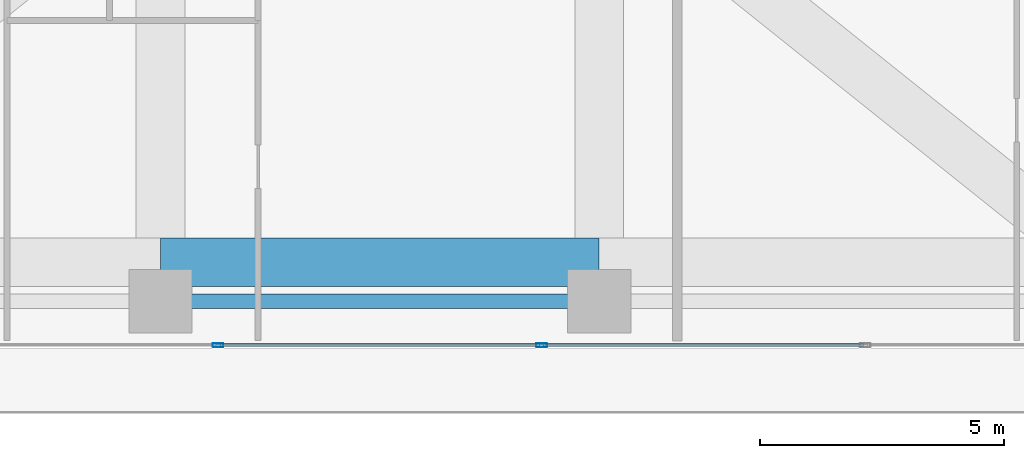
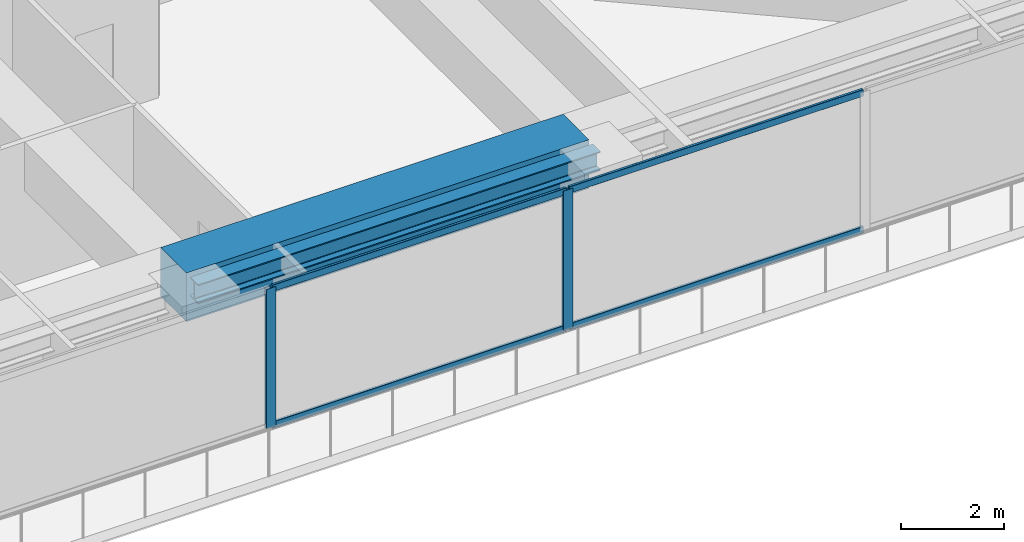
# One storey, part 5 of 32: 6 members, 2 beams, 1 element without a shape of its own.
"""IFC4 building model written with IfcOpenShell, lengths in metres."""

from ifc_helpers import new_model, si_unit, direction, frame, origin, origin_2d, place, context, subcontext, project, spatial, rectangle, hollow_rectangle, i_section, extrude, source, transform, mapped, material, layer, layer_set, material_profile, profile_set, type_object, element, aggregate, save


model = new_model("IFC4")

# Units and contexts
model_context = context("Model", 3, precision=1e-05, world=origin(), true_north=direction((0.0, 1.0)))
body_context = subcontext(model_context, "Body", "Model", "MODEL_VIEW")
ifc_project = project(units=[si_unit("LENGTHUNIT", "METRE"), si_unit("AREAUNIT", "SQUARE_METRE"), si_unit("VOLUMEUNIT", "CUBIC_METRE"), si_unit("PLANEANGLEUNIT", "RADIAN"), si_unit("MASSUNIT", "GRAM", prefix="KILO")], contexts=[model_context])

# Site, building, storey
site_placement = place(None, origin())
site = spatial("IfcSite", under=ifc_project, at=site_placement, CompositionType="ELEMENT")
building_placement = place(site_placement, origin())
building = spatial("IfcBuilding", under=site, at=building_placement, Name="Serunith Strait Residences", CompositionType="ELEMENT")
storey_placement = place(building_placement, frame((0.0, 0.0, 195.14990234375)))
storey = spatial("IfcBuildingStorey", under=building, at=storey_placement, Name="L49", CompositionType="ELEMENT", Elevation=195.14990234375)

# Beams
ifc_material_1 = material(Name="Steel S355J2", Category="steel")
ifc_material_profile_1 = material_profile(ifc_material_1, i_section(OverallWidth=0.300048828125, OverallDepth=0.449951171875, WebThickness=0.013916015625, FlangeThickness=0.02587890625, FilletRadius=0.027099609375, at=origin_2d()), Name="HEB 450")
ifc_profile_set_1 = profile_set([ifc_material_profile_1], Name="Steel S355J2")
beam_type_1 = type_object("IfcBeamType", Name="BM-HEB450", PredefinedType="BEAM", material=ifc_profile_set_1)
shared_shape_1 = source(origin(), body_context, "Body", "SweptSolid", [
    extrude(i_section(OverallWidth=0.300048828125, OverallDepth=0.449951171875, WebThickness=0.013916015625, FlangeThickness=0.02587890625, FilletRadius=0.027099609375, at=origin_2d()), origin(), (0.0, 0.0, 1.0), 9.0),
])
beam_1_placement = place(storey_placement, frame((27.89990234375, 2.300048828125, 3.08203125), z_axis=(1.0, 0.0, 0.0), x_axis=(0.0, 1.0, 0.0)))
element("IfcBeam", 1, at=beam_1_placement, inside=storey, type_object=beam_type_1, Name="L49 Perimeter Ring Beam 02", PredefinedType="BEAM", context=body_context, shape_type="MappedRepresentation", body=[
    mapped(shared_shape_1, transform((0.0, 0.0, 0.0), scale=1.0)),
])
ifc_material_2 = material(Name="Concrete C80/95", Category="concrete")
ifc_material_profile_2 = material_profile(ifc_material_2, rectangle(XDim=1.0, YDim=1.14990234375, at=origin_2d()), Name="RC 1000x1150")
ifc_profile_set_2 = profile_set([ifc_material_profile_2], Name="Concrete C80/95")
beam_type_2 = type_object("IfcBeamType", Name="BM-XFER-1000x1150", PredefinedType="BEAM", material=ifc_profile_set_2)
shared_shape_2 = source(origin(), body_context, "Body", "SweptSolid", [
    extrude(rectangle(XDim=1.0, YDim=1.14990234375, at=origin_2d()), origin(), (0.0, 0.0, 1.0), 9.0),
])
beam_2_placement = place(storey_placement, frame((27.89990234375, 3.10009765625, 2.735107421875), z_axis=(1.0, 0.0, 0.0), x_axis=(0.0, 1.0, 0.0)))
element("IfcBeam", 2, at=beam_2_placement, inside=storey, type_object=beam_type_2, Name="L49 Flare Upper Ring Transfer Girder 02", PredefinedType="BEAM", context=body_context, shape_type="MappedRepresentation", body=[
    mapped(shared_shape_2, transform((0.0, 0.0, 0.0), scale=1.0)),
])

# Curtain wall, members
ifc_material_3 = material(Name="Pale-Silver PVDF Aluminium", Category="aluminium")
ifc_layer = layer(ifc_material_3, 0.199951171875, Name="Pale-Silver PVDF Aluminium")
ifc_layer_set = layer_set([ifc_layer], Name="Pale-Silver PVDF Aluminium")
curtain_wall_type = type_object("IfcCurtainWallType", Name="CW-SYS3", PredefinedType="NOTDEFINED", material=ifc_layer_set)
curtain_wall_placement = place(storey_placement, origin())
curtain_wall = element("IfcCurtainWall", 3, at=curtain_wall_placement, inside=storey, type_object=curtain_wall_type, Name="L49 S Unitised Fritted Curtain Wall", PredefinedType="NOTDEFINED")
ifc_material_profile_3 = material_profile(ifc_material_3, hollow_rectangle(XDim=0.06005859375, YDim=0.159912109375, WallThickness=0.00341796875, InnerFilletRadius=0.00537109375, OuterFilletRadius=0.0087890625, at=origin_2d()), Name="ALU 160x60x3.5")
ifc_profile_set_3 = profile_set([ifc_material_profile_3], Name="Pale-Silver PVDF Aluminium")
member_type_1 = type_object("IfcMemberType", Name="CW-SYS3-TRAN", PredefinedType="USERDEFINED", material=ifc_profile_set_3)
shared_shape_3 = source(origin(), body_context, "Body", "SweptSolid", [
    extrude(hollow_rectangle(XDim=0.06005859375, YDim=0.159912109375, WallThickness=0.00341796875, InnerFilletRadius=0.00537109375, OuterFilletRadius=0.0087890625, at=origin_2d()), origin(), (0.0, 0.0, 1.0), 6.56494140625),
])
member_1_placement = place(storey_placement, frame((35.757568359375, 1.39990234375, 0.030029296875), z_axis=(1.0, 0.0, 0.0), x_axis=(0.0, 1.0, 0.0)))
member_1 = element("IfcMember", 4, at=member_1_placement, type_object=member_type_1, Name="CW-3 transom 4.1", ObjectType="TRANSOM", PredefinedType="USERDEFINED", context=body_context, shape_type="MappedRepresentation", body=[
    mapped(shared_shape_3, transform((0.0, 0.0, 0.0), scale=1.0)),
])
member_2_placement = place(storey_placement, frame((35.757568359375, 1.39990234375, 3.26513671875), z_axis=(1.0, 0.0, 0.0), x_axis=(0.0, 1.0, 0.0)))
member_2 = element("IfcMember", 5, at=member_2_placement, type_object=member_type_1, Name="CW-3 transom 4.2", ObjectType="TRANSOM", PredefinedType="USERDEFINED", context=body_context, shape_type="MappedRepresentation", body=[
    mapped(shared_shape_3, transform((0.0, 0.0, 0.0), scale=1.0)),
])
shared_shape_4 = source(origin(), body_context, "Body", "SweptSolid", [
    extrude(hollow_rectangle(XDim=0.06005859375, YDim=0.159912109375, WallThickness=0.00341796875, InnerFilletRadius=0.00537109375, OuterFilletRadius=0.0087890625, at=origin_2d()), origin(), (0.0, 0.0, 1.0), 6.565185546875),
])
member_3_placement = place(storey_placement, frame((29.117431640625, 1.39990234375, 0.030029296875), z_axis=(1.0, 0.0, 0.0), x_axis=(0.0, 1.0, 0.0)))
member_3 = element("IfcMember", 6, at=member_3_placement, type_object=member_type_1, Name="CW-3 transom 3.1", ObjectType="TRANSOM", PredefinedType="USERDEFINED", context=body_context, shape_type="MappedRepresentation", body=[
    mapped(shared_shape_4, transform((0.0, 0.0, 0.0), scale=1.0)),
])
member_4_placement = place(storey_placement, frame((29.117431640625, 1.39990234375, 3.26513671875), z_axis=(1.0, 0.0, 0.0), x_axis=(0.0, 1.0, 0.0)))
member_4 = element("IfcMember", 7, at=member_4_placement, type_object=member_type_1, Name="CW-3 transom 3.2", ObjectType="TRANSOM", PredefinedType="USERDEFINED", context=body_context, shape_type="MappedRepresentation", body=[
    mapped(shared_shape_4, transform((0.0, 0.0, 0.0), scale=1.0)),
])
ifc_material_profile_4 = material_profile(ifc_material_3, hollow_rectangle(XDim=0.074951171875, YDim=0.219970703125, WallThickness=0.00390625, InnerFilletRadius=0.006103515625, OuterFilletRadius=0.010009765625, at=origin_2d()), Name="ALU 220x75x4")
ifc_profile_set_4 = profile_set([ifc_material_profile_4], Name="Pale-Silver PVDF Aluminium")
member_type_2 = type_object("IfcMemberType", Name="CW-SYS3-MULL", PredefinedType="MULLION", material=ifc_profile_set_4)
shared_shape_5 = source(origin(), body_context, "Body", "SweptSolid", [
    extrude(hollow_rectangle(XDim=0.074951171875, YDim=0.219970703125, WallThickness=0.00390625, InnerFilletRadius=0.006103515625, OuterFilletRadius=0.010009765625, at=origin_2d()), origin(), (0.0, 0.0, 1.0), 3.295166015625),
])
member_5_placement = place(storey_placement, frame((29.080078125, 1.39990234375, 0.0), z_axis=(0.0, 0.0, 1.0), x_axis=(0.0, 1.0, 0.0)))
member_5 = element("IfcMember", 8, at=member_5_placement, type_object=member_type_2, Name="CW-3 mullion 3", PredefinedType="MULLION", context=body_context, shape_type="MappedRepresentation", body=[
    mapped(shared_shape_5, transform((0.0, 0.0, 0.0), scale=1.0)),
])
member_6_placement = place(storey_placement, frame((35.719970703125, 1.39990234375, 0.0), z_axis=(0.0, 0.0, 1.0), x_axis=(0.0, 1.0, 0.0)))
member_6 = element("IfcMember", 9, at=member_6_placement, type_object=member_type_2, Name="CW-3 mullion 4", PredefinedType="MULLION", context=body_context, shape_type="MappedRepresentation", body=[
    mapped(shared_shape_5, transform((0.0, 0.0, 0.0), scale=1.0)),
])
aggregate(curtain_wall, [member_5, member_6, member_3, member_4, member_1, member_2])

save(model, "model.ifc")
